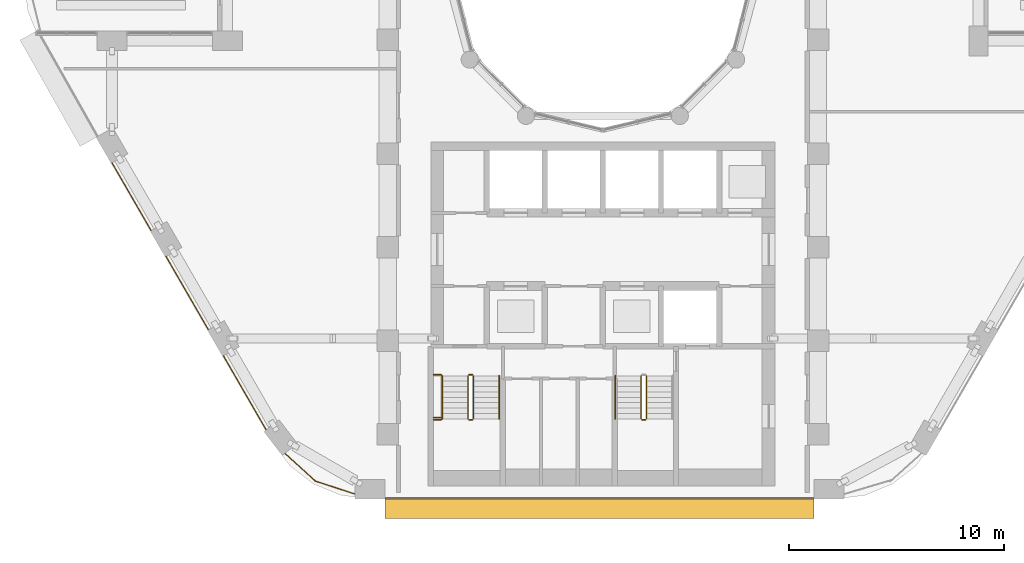
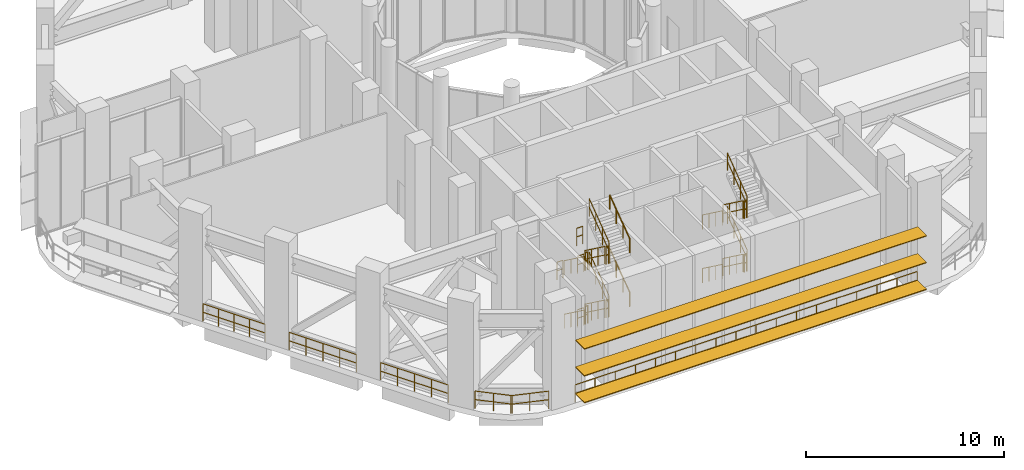
# One storey, part 16 of 21: 30 railings, 3 shading devices.
"""IFC4 building model written with IfcOpenShell, lengths in metres."""

from ifc_helpers import new_model, si_unit, direction, frame, origin, origin_2d, place, context, subcontext, project, spatial, rectangle, circle, extrude, material, material_profile, profile_set, type_object, element, save


model = new_model("IFC4")

# Units and contexts
model_context = context("Model", 3, precision=1e-05, world=origin(), true_north=direction((0.0, 1.0)))
body_context = subcontext(model_context, "Body", "Model", "MODEL_VIEW")
ifc_project = project(units=[si_unit("LENGTHUNIT", "METRE"), si_unit("AREAUNIT", "SQUARE_METRE"), si_unit("VOLUMEUNIT", "CUBIC_METRE"), si_unit("PLANEANGLEUNIT", "RADIAN"), si_unit("MASSUNIT", "GRAM", prefix="KILO")], contexts=[model_context])

# Site, building, storey
site_placement = place(None, origin())
site = spatial("IfcSite", under=ifc_project, at=site_placement, CompositionType="ELEMENT")
building_placement = place(site_placement, origin())
building = spatial("IfcBuilding", under=site, at=building_placement, Name="Nakaniwa Court", CompositionType="ELEMENT")
storey_placement = place(building_placement, frame((0.0, 0.0, 120.60009765625)))
storey = spatial("IfcBuildingStorey", under=building, at=storey_placement, Name="S2", CompositionType="ELEMENT", Elevation=120.60009765625)

# Railings
ifc_material_1 = material(Name="Black powder-coated steel flat bar balustrade S275", Category="steel")
railing_type_1 = type_object("IfcRailingType", Name="Black metal terrace guard 1100", PredefinedType="GUARDRAIL", material=ifc_material_1)
railing_1_placement = place(storey_placement, frame((57.1787109375, 71.627685546875, 0.0)))
element("IfcRailing", 1, at=railing_1_placement, inside=storey, type_object=railing_type_1, Name="S2 refuge band guard 21", PredefinedType="GUARDRAIL", context=body_context, shape_type="SweptSolid", body=[
    extrude(circle(Radius=0.02392578125, at=origin_2d()), frame((0.0, 0.0, 1.076171875), z_axis=(0.499980071345, -0.866036909293, 0.0), x_axis=(0.866036909293, 0.499980071345, 0.0)), (0.0, 0.0, 1.0), 3.636962890625),
    extrude(circle(Radius=0.02392578125, at=origin_2d()), frame((0.0, 0.0, 0.550048828125), z_axis=(0.499980071345, -0.866036909293, 0.0), x_axis=(0.866036909293, 0.499980071345, 0.0)), (0.0, 0.0, 1.0), 3.636962890625),
    extrude(circle(Radius=0.02099609375, at=origin_2d()), origin(), (0.0, 0.0, 1.0), 1.052001953125),
    extrude(circle(Radius=0.02099609375, at=origin_2d()), frame((0.45458984375, -0.787353515625, 0.0)), (0.0, 0.0, 1.0), 1.052001953125),
    extrude(circle(Radius=0.02099609375, at=origin_2d()), frame((0.9091796875, -1.57470703125, 0.0)), (0.0, 0.0, 1.0), 1.052001953125),
    extrude(circle(Radius=0.02099609375, at=origin_2d()), frame((1.36376953125, -2.3623046875, 0.0)), (0.0, 0.0, 1.0), 1.052001953125),
    extrude(circle(Radius=0.02099609375, at=origin_2d()), frame((1.818359375, -3.149658203125, 0.0)), (0.0, 0.0, 1.0), 1.052001953125),
])
railing_2_placement = place(storey_placement, frame((59.693115234375, 67.2724609375, 0.0)))
element("IfcRailing", 2, at=railing_2_placement, inside=storey, type_object=railing_type_1, Name="S2 refuge band guard 22", PredefinedType="GUARDRAIL", context=body_context, shape_type="SweptSolid", body=[
    extrude(circle(Radius=0.02392578125, at=origin_2d()), frame((0.0, 0.0, 1.076171875), z_axis=(0.500003583557, -0.866023334807, 0.0), x_axis=(0.866023334807, 0.500003583557, 0.0)), (0.0, 0.0, 1.0), 3.93408203125),
    extrude(circle(Radius=0.02392578125, at=origin_2d()), frame((0.0, 0.0, 0.550048828125), z_axis=(0.500003583557, -0.866023334807, 0.0), x_axis=(0.866023334807, 0.500003583557, 0.0)), (0.0, 0.0, 1.0), 3.93408203125),
    extrude(circle(Radius=0.02099609375, at=origin_2d()), origin(), (0.0, 0.0, 1.0), 1.052001953125),
    extrude(circle(Radius=0.02099609375, at=origin_2d()), frame((0.49169921875, -0.851806640625, 0.0)), (0.0, 0.0, 1.0), 1.052001953125),
    extrude(circle(Radius=0.02099609375, at=origin_2d()), frame((0.9833984375, -1.70361328125, 0.0)), (0.0, 0.0, 1.0), 1.052001953125),
    extrude(circle(Radius=0.02099609375, at=origin_2d()), frame((1.475341796875, -2.55517578125, 0.0)), (0.0, 0.0, 1.0), 1.052001953125),
    extrude(circle(Radius=0.02099609375, at=origin_2d()), frame((1.967041015625, -3.406982421875, 0.0)), (0.0, 0.0, 1.0), 1.052001953125),
])
railing_3_placement = place(storey_placement, frame((62.356201171875, 62.66015625, 0.0)))
element("IfcRailing", 3, at=railing_3_placement, inside=storey, type_object=railing_type_1, Name="S2 refuge band guard 23", PredefinedType="GUARDRAIL", context=body_context, shape_type="SweptSolid", body=[
    extrude(circle(Radius=0.02392578125, at=origin_2d()), frame((0.0, 0.0, 1.076171875), z_axis=(0.499997676703, -0.866026745137, 0.0), x_axis=(0.866026745137, 0.499997676703, 0.0)), (0.0, 0.0, 1.0), 3.96728515625),
    extrude(circle(Radius=0.02392578125, at=origin_2d()), frame((0.0, 0.0, 0.550048828125), z_axis=(0.499997676703, -0.866026745137, 0.0), x_axis=(0.866026745137, 0.499997676703, 0.0)), (0.0, 0.0, 1.0), 3.96728515625),
    extrude(circle(Radius=0.02099609375, at=origin_2d()), origin(), (0.0, 0.0, 1.0), 1.052001953125),
    extrude(circle(Radius=0.02099609375, at=origin_2d()), frame((0.495849609375, -0.85888671875, 0.0)), (0.0, 0.0, 1.0), 1.052001953125),
    extrude(circle(Radius=0.02099609375, at=origin_2d()), frame((0.99169921875, -1.7177734375, 0.0)), (0.0, 0.0, 1.0), 1.052001953125),
    extrude(circle(Radius=0.02099609375, at=origin_2d()), frame((1.48779296875, -2.576904296875, 0.0)), (0.0, 0.0, 1.0), 1.052001953125),
    extrude(circle(Radius=0.02099609375, at=origin_2d()), frame((1.983642578125, -3.435791015625, 0.0)), (0.0, 0.0, 1.0), 1.052001953125),
])
railing_4_placement = place(storey_placement, frame((65.227783203125, 58.112060546875, 0.0)))
element("IfcRailing", 4, at=railing_4_placement, inside=storey, type_object=railing_type_1, Name="S2 refuge band guard 24", PredefinedType="GUARDRAIL", context=body_context, shape_type="SweptSolid", body=[
    extrude(circle(Radius=0.02392578125, at=origin_2d()), frame((0.0, 0.0, 1.076171875), z_axis=(0.740421367382, -0.672142989791, 0.0), x_axis=(0.672142989791, 0.740421367382, 0.0)), (0.0, 0.0, 1.0), 1.92724609375),
    extrude(circle(Radius=0.02392578125, at=origin_2d()), frame((0.0, 0.0, 0.550048828125), z_axis=(0.740421367382, -0.672142989791, 0.0), x_axis=(0.672142989791, 0.740421367382, 0.0)), (0.0, 0.0, 1.0), 1.92724609375),
    extrude(circle(Radius=0.02099609375, at=origin_2d()), origin(), (0.0, 0.0, 1.0), 1.052001953125),
    extrude(circle(Radius=0.02099609375, at=origin_2d()), frame((0.71337890625, -0.647705078125, 0.0)), (0.0, 0.0, 1.0), 1.052001953125),
    extrude(circle(Radius=0.02099609375, at=origin_2d()), frame((1.427001953125, -1.29541015625, 0.0)), (0.0, 0.0, 1.0), 1.052001953125),
])
railing_5_placement = place(storey_placement, frame((66.593994140625, 56.84423828125, 0.0)))
element("IfcRailing", 5, at=railing_5_placement, inside=storey, type_object=railing_type_1, Name="S2 refuge band guard 25", PredefinedType="GUARDRAIL", context=body_context, shape_type="SweptSolid", body=[
    extrude(circle(Radius=0.02392578125, at=origin_2d()), frame((0.0, 0.0, 1.076171875), z_axis=(0.950777961763, -0.309872985958, 0.0), x_axis=(0.309872985958, 0.950777961763, 0.0)), (0.0, 0.0, 1.0), 1.949951171875),
    extrude(circle(Radius=0.02392578125, at=origin_2d()), frame((0.0, 0.0, 0.550048828125), z_axis=(0.950777961763, -0.309872985958, 0.0), x_axis=(0.309872985958, 0.950777961763, 0.0)), (0.0, 0.0, 1.0), 1.949951171875),
    extrude(circle(Radius=0.02099609375, at=origin_2d()), origin(), (0.0, 0.0, 1.0), 1.052001953125),
    extrude(circle(Radius=0.02099609375, at=origin_2d()), frame((0.927001953125, -0.30224609375, 0.0)), (0.0, 0.0, 1.0), 1.052001953125),
    extrude(circle(Radius=0.02099609375, at=origin_2d()), frame((1.85400390625, -0.604248046875, 0.0)), (0.0, 0.0, 1.0), 1.052001953125),
])
railing_6_placement = place(storey_placement, frame((69.871337890625, 56.050048828125, 0.0)))
element("IfcRailing", 6, at=railing_6_placement, inside=storey, type_object=railing_type_1, Name="S2 refuge band guard 26", PredefinedType="GUARDRAIL", context=body_context, shape_type="SweptSolid", body=[
    extrude(circle(Radius=0.02392578125, at=origin_2d()), frame((0.0, 0.0, 1.076171875), z_axis=(1.0, 0.0, 0.0), x_axis=(0.0, 1.0, 0.0)), (0.0, 0.0, 1.0), 19.939697265625),
    extrude(circle(Radius=0.02392578125, at=origin_2d()), frame((0.0, 0.0, 0.550048828125), z_axis=(1.0, 0.0, 0.0), x_axis=(0.0, 1.0, 0.0)), (0.0, 0.0, 1.0), 19.939697265625),
    extrude(circle(Radius=0.02099609375, at=origin_2d()), origin(), (0.0, 0.0, 1.0), 1.052001953125),
    extrude(circle(Radius=0.02099609375, at=origin_2d()), frame((1.1728515625, 0.0, 0.0)), (0.0, 0.0, 1.0), 1.052001953125),
    extrude(circle(Radius=0.02099609375, at=origin_2d()), frame((2.345947265625, 0.0, 0.0)), (0.0, 0.0, 1.0), 1.052001953125),
    extrude(circle(Radius=0.02099609375, at=origin_2d()), frame((3.518798828125, 0.0, 0.0)), (0.0, 0.0, 1.0), 1.052001953125),
    extrude(circle(Radius=0.02099609375, at=origin_2d()), frame((4.691650390625, 0.0, 0.0)), (0.0, 0.0, 1.0), 1.052001953125),
    extrude(circle(Radius=0.02099609375, at=origin_2d()), frame((5.864501953125, 0.0, 0.0)), (0.0, 0.0, 1.0), 1.052001953125),
    extrude(circle(Radius=0.02099609375, at=origin_2d()), frame((7.03759765625, 0.0, 0.0)), (0.0, 0.0, 1.0), 1.052001953125),
    extrude(circle(Radius=0.02099609375, at=origin_2d()), frame((8.21044921875, 0.0, 0.0)), (0.0, 0.0, 1.0), 1.052001953125),
    extrude(circle(Radius=0.02099609375, at=origin_2d()), frame((9.38330078125, 0.0, 0.0)), (0.0, 0.0, 1.0), 1.052001953125),
    extrude(circle(Radius=0.02099609375, at=origin_2d()), frame((10.556396484375, 0.0, 0.0)), (0.0, 0.0, 1.0), 1.052001953125),
    extrude(circle(Radius=0.02099609375, at=origin_2d()), frame((11.729248046875, 0.0, 0.0)), (0.0, 0.0, 1.0), 1.052001953125),
    extrude(circle(Radius=0.02099609375, at=origin_2d()), frame((12.902099609375, 0.0, 0.0)), (0.0, 0.0, 1.0), 1.052001953125),
    extrude(circle(Radius=0.02099609375, at=origin_2d()), frame((14.0751953125, 0.0, 0.0)), (0.0, 0.0, 1.0), 1.052001953125),
    extrude(circle(Radius=0.02099609375, at=origin_2d()), frame((15.248046875, 0.0, 0.0)), (0.0, 0.0, 1.0), 1.052001953125),
    extrude(circle(Radius=0.02099609375, at=origin_2d()), frame((16.4208984375, 0.0, 0.0)), (0.0, 0.0, 1.0), 1.052001953125),
    extrude(circle(Radius=0.02099609375, at=origin_2d()), frame((17.59375, 0.0, 0.0)), (0.0, 0.0, 1.0), 1.052001953125),
    extrude(circle(Radius=0.02099609375, at=origin_2d()), frame((18.766845703125, 0.0, 0.0)), (0.0, 0.0, 1.0), 1.052001953125),
    extrude(circle(Radius=0.02099609375, at=origin_2d()), frame((19.939697265625, 0.0, 0.0)), (0.0, 0.0, 1.0), 1.052001953125),
])

# Shading devices
ifc_material_2 = material(Name="Perforated charcoal ceramic louvre blade")
ifc_material_profile = material_profile(ifc_material_2, rectangle(XDim=0.89990234375, YDim=0.050048828125, at=origin_2d()), Name="Perforated ceramic louvre blade")
ifc_profile_set = profile_set([ifc_material_profile], Name="Perforated charcoal ceramic louvre blade")
shading_device_type = type_object("IfcShadingDeviceType", Name="Perforated ceramic louvre blade", PredefinedType="JALOUSIE", material=ifc_profile_set)
for number, where, z_axis, x_axis, name in (
    (7, (69.871337890625, 55.550048828125, 0.5498046875), (1.0, 0.0, 0.0), (0.0, 1.0, 0.0), "S2 perforated ceramic louvre blade s26 1"),
    (8, (69.871337890625, 55.550048828125, 2.199951171875), (1.0, 0.0, 0.0), (0.0, 1.0, 0.0), "S2 perforated ceramic louvre blade s26 2"),
    (9, (69.871337890625, 55.550048828125, 3.849853515625), (1.0, 0.0, 0.0), (0.0, 1.0, 0.0), "S2 perforated ceramic louvre blade s26 3"),
):
    element("IfcShadingDevice", number, at=place(storey_placement, frame(where, z_axis=z_axis, x_axis=x_axis)), inside=storey, type_object=shading_device_type, Name=name, PredefinedType="JALOUSIE", context=body_context, shape_type="SweptSolid", body=[
        extrude(rectangle(XDim=0.89990234375, YDim=0.050048828125, at=origin_2d()), origin(), (0.0, 0.0, 1.0), 19.939697265625),
    ])

# Railings
ifc_material_3 = material(Name="Black powder coated steel guard", Category="steel")
railing_type_2 = type_object("IfcRailingType", Name="Stair guard 1100", PredefinedType="GUARDRAIL", material=ifc_material_3)
railing_7_placement = place(storey_placement, frame((73.72509765625, 61.72509765625, 0.183349609375)))
element("IfcRailing", 10, at=railing_7_placement, inside=storey, type_object=railing_type_2, Name="S2 ST3 stair guard 1", PredefinedType="GUARDRAIL", context=body_context, shape_type="SweptSolid", body=[
    extrude(circle(Radius=0.02392578125, at=origin_2d()), frame((0.0, 0.0, 1.076171875), z_axis=(0.0, -0.806426902644, 0.591333789573), x_axis=(1.0, 0.0, 0.0)), (0.0, 0.0, 1.0), 2.47998046875),
    extrude(circle(Radius=0.02392578125, at=origin_2d()), frame((0.0, 0.0, 0.550048828125), z_axis=(0.0, -0.806426902644, 0.591333789573), x_axis=(1.0, 0.0, 0.0)), (0.0, 0.0, 1.0), 2.47998046875),
    extrude(circle(Radius=0.02099609375, at=origin_2d()), origin(), (0.0, 0.0, 1.0), 1.052001953125),
    extrude(circle(Radius=0.02099609375, at=origin_2d()), frame((0.0, -0.666748046875, 0.48876953125)), (0.0, 0.0, 1.0), 1.052001953125),
    extrude(circle(Radius=0.02099609375, at=origin_2d()), frame((0.0, -1.333251953125, 0.977783203125)), (0.0, 0.0, 1.0), 1.052001953125),
    extrude(circle(Radius=0.02099609375, at=origin_2d()), frame((0.0, -2.0, 1.466552734375)), (0.0, 0.0, 1.0), 1.052001953125),
])
railing_8_placement = place(storey_placement, frame((73.77490234375, 59.675048828125, 1.64990234375)))
element("IfcRailing", 11, at=railing_8_placement, inside=storey, type_object=railing_type_2, Name="S2 ST3 stair guard 2", PredefinedType="GUARDRAIL", context=body_context, shape_type="SweptSolid", body=[
    extrude(circle(Radius=0.02392578125, at=origin_2d()), frame((0.0, 0.0, 1.076171875), z_axis=(1.0, 0.0, 0.0), x_axis=(0.0, 1.0, 0.0)), (0.0, 0.0, 1.0), 0.150146484375),
    extrude(circle(Radius=0.02392578125, at=origin_2d()), frame((0.0, 0.0, 0.550048828125), z_axis=(1.0, 0.0, 0.0), x_axis=(0.0, 1.0, 0.0)), (0.0, 0.0, 1.0), 0.150146484375),
    extrude(circle(Radius=0.02099609375, at=origin_2d()), origin(), (0.0, 0.0, 1.0), 1.052001953125),
    extrude(circle(Radius=0.02099609375, at=origin_2d()), frame((0.150146484375, 0.0, 0.0)), (0.0, 0.0, 1.0), 1.052001953125),
])
railing_9_placement = place(storey_placement, frame((73.97509765625, 59.72509765625, 1.833251953125)))
element("IfcRailing", 12, at=railing_9_placement, inside=storey, type_object=railing_type_2, Name="S2 ST3 stair guard 3", PredefinedType="GUARDRAIL", context=body_context, shape_type="SweptSolid", body=[
    extrude(circle(Radius=0.02392578125, at=origin_2d()), frame((0.0, 0.0, 1.076171875), z_axis=(0.0, 0.806426902644, 0.591333789573), x_axis=(-1.0, 0.0, 0.0)), (0.0, 0.0, 1.0), 2.47998046875),
    extrude(circle(Radius=0.02392578125, at=origin_2d()), frame((0.0, 0.0, 0.550048828125), z_axis=(0.0, 0.806426902644, 0.591333789573), x_axis=(-1.0, 0.0, 0.0)), (0.0, 0.0, 1.0), 2.47998046875),
    extrude(circle(Radius=0.02099609375, at=origin_2d()), origin(), (0.0, 0.0, 1.0), 1.052001953125),
    extrude(circle(Radius=0.02099609375, at=origin_2d()), frame((0.0, 0.666748046875, 0.48876953125)), (0.0, 0.0, 1.0), 1.052001953125),
    extrude(circle(Radius=0.02099609375, at=origin_2d()), frame((0.0, 1.333251953125, 0.977783203125)), (0.0, 0.0, 1.0), 1.052001953125),
    extrude(circle(Radius=0.02099609375, at=origin_2d()), frame((0.0, 2.0, 1.466552734375)), (0.0, 0.0, 1.0), 1.052001953125),
])
railing_10_placement = place(storey_placement, frame((73.77490234375, 61.77490234375, 3.2998046875)))
element("IfcRailing", 13, at=railing_10_placement, inside=storey, type_object=railing_type_2, Name="S2 ST3 stair guard 4", PredefinedType="GUARDRAIL", context=body_context, shape_type="SweptSolid", body=[
    extrude(circle(Radius=0.02392578125, at=origin_2d()), frame((0.0, 0.0, 1.076171875), z_axis=(1.0, 0.0, 0.0), x_axis=(0.0, 1.0, 0.0)), (0.0, 0.0, 1.0), 0.150146484375),
    extrude(circle(Radius=0.02392578125, at=origin_2d()), frame((0.0, 0.0, 0.550048828125), z_axis=(1.0, 0.0, 0.0), x_axis=(0.0, 1.0, 0.0)), (0.0, 0.0, 1.0), 0.150146484375),
    extrude(circle(Radius=0.02099609375, at=origin_2d()), origin(), (0.0, 0.0, 1.0), 1.052001953125),
    extrude(circle(Radius=0.02099609375, at=origin_2d()), frame((0.150146484375, 0.0, 0.0)), (0.0, 0.0, 1.0), 1.052001953125),
])
railing_11_placement = place(storey_placement, frame((73.72509765625, 61.72509765625, 3.483154296875)))
element("IfcRailing", 14, at=railing_11_placement, inside=storey, type_object=railing_type_2, Name="S2 ST3 stair guard 5", PredefinedType="GUARDRAIL", context=body_context, shape_type="SweptSolid", body=[
    extrude(circle(Radius=0.02392578125, at=origin_2d()), frame((0.0, 0.0, 1.076171875), z_axis=(0.0, -0.806379959628, 0.591397802423), x_axis=(1.0, 0.0, 0.0)), (0.0, 0.0, 1.0), 2.480224609375),
    extrude(circle(Radius=0.02392578125, at=origin_2d()), frame((0.0, 0.0, 0.550048828125), z_axis=(0.0, -0.806379959628, 0.591397802423), x_axis=(1.0, 0.0, 0.0)), (0.0, 0.0, 1.0), 2.480224609375),
    extrude(circle(Radius=0.02099609375, at=origin_2d()), origin(), (0.0, 0.0, 1.0), 1.052001953125),
    extrude(circle(Radius=0.02099609375, at=origin_2d()), frame((0.0, -0.666748046875, 0.489013671875)), (0.0, 0.0, 1.0), 1.052001953125),
    extrude(circle(Radius=0.02099609375, at=origin_2d()), frame((0.0, -1.333251953125, 0.977783203125)), (0.0, 0.0, 1.0), 1.052001953125),
    extrude(circle(Radius=0.02099609375, at=origin_2d()), frame((0.0, -2.0, 1.466796875)), (0.0, 0.0, 1.0), 1.052001953125),
])
railing_12_placement = place(storey_placement, frame((73.77490234375, 59.675048828125, 4.949951171875)))
element("IfcRailing", 15, at=railing_12_placement, inside=storey, type_object=railing_type_2, Name="S2 ST3 stair guard 6", PredefinedType="GUARDRAIL", context=body_context, shape_type="SweptSolid", body=[
    extrude(circle(Radius=0.02392578125, at=origin_2d()), frame((0.0, 0.0, 1.076171875), z_axis=(1.0, 0.0, 0.0), x_axis=(0.0, 1.0, 0.0)), (0.0, 0.0, 1.0), 0.150146484375),
    extrude(circle(Radius=0.02392578125, at=origin_2d()), frame((0.0, 0.0, 0.550048828125), z_axis=(1.0, 0.0, 0.0), x_axis=(0.0, 1.0, 0.0)), (0.0, 0.0, 1.0), 0.150146484375),
    extrude(circle(Radius=0.02099609375, at=origin_2d()), origin(), (0.0, 0.0, 1.0), 1.052001953125),
    extrude(circle(Radius=0.02099609375, at=origin_2d()), frame((0.150146484375, 0.0, 0.0)), (0.0, 0.0, 1.0), 1.052001953125),
])
railing_13_placement = place(storey_placement, frame((73.97509765625, 59.72509765625, 5.13330078125)))
element("IfcRailing", 16, at=railing_13_placement, inside=storey, type_object=railing_type_2, Name="S2 ST3 stair guard 7", PredefinedType="GUARDRAIL", context=body_context, shape_type="SweptSolid", body=[
    extrude(circle(Radius=0.02392578125, at=origin_2d()), frame((0.0, 0.0, 1.076171875), z_axis=(0.0, 0.806426902644, 0.591333789573), x_axis=(-1.0, 0.0, 0.0)), (0.0, 0.0, 1.0), 2.47998046875),
    extrude(circle(Radius=0.02392578125, at=origin_2d()), frame((0.0, 0.0, 0.550048828125), z_axis=(0.0, 0.806426902644, 0.591333789573), x_axis=(-1.0, 0.0, 0.0)), (0.0, 0.0, 1.0), 2.47998046875),
    extrude(circle(Radius=0.02099609375, at=origin_2d()), origin(), (0.0, 0.0, 1.0), 1.052001953125),
    extrude(circle(Radius=0.02099609375, at=origin_2d()), frame((0.0, 0.666748046875, 0.48876953125)), (0.0, 0.0, 1.0), 1.052001953125),
    extrude(circle(Radius=0.02099609375, at=origin_2d()), frame((0.0, 1.333251953125, 0.977783203125)), (0.0, 0.0, 1.0), 1.052001953125),
    extrude(circle(Radius=0.02099609375, at=origin_2d()), frame((0.0, 2.0, 1.466552734375)), (0.0, 0.0, 1.0), 1.052001953125),
])
railing_14_placement = place(storey_placement, frame((73.77490234375, 61.77490234375, 0.0)))
element("IfcRailing", 17, at=railing_14_placement, inside=storey, type_object=railing_type_2, Name="S2 ST3 stair guard 8", PredefinedType="GUARDRAIL", context=body_context, shape_type="SweptSolid", body=[
    extrude(circle(Radius=0.02392578125, at=origin_2d()), frame((0.0, 0.0, 1.076171875), z_axis=(1.0, 0.0, 0.0), x_axis=(0.0, 1.0, 0.0)), (0.0, 0.0, 1.0), 0.150146484375),
    extrude(circle(Radius=0.02392578125, at=origin_2d()), frame((0.0, 0.0, 0.550048828125), z_axis=(1.0, 0.0, 0.0), x_axis=(0.0, 1.0, 0.0)), (0.0, 0.0, 1.0), 0.150146484375),
    extrude(circle(Radius=0.02099609375, at=origin_2d()), origin(), (0.0, 0.0, 1.0), 1.052001953125),
    extrude(circle(Radius=0.02099609375, at=origin_2d()), frame((0.150146484375, 0.0, 0.0)), (0.0, 0.0, 1.0), 1.052001953125),
])
for number, where, name in (
    (18, (72.125, 59.675048828125, 1.64990234375), "S2 ST3 landing side guard 1W"),
    (19, (72.125, 61.77490234375, 3.2998046875), "S2 ST3 landing side guard 2W"),
    (20, (72.125, 59.675048828125, 4.949951171875), "S2 ST3 landing side guard 3W"),
    (21, (72.125, 59.77490234375, 6.599853515625), "S2 ST3 floor edge guard 3W"),
):
    element("IfcRailing", number, at=place(storey_placement, frame(where)), inside=storey, type_object=railing_type_2, Name=name, PredefinedType="GUARDRAIL", context=body_context, shape_type="SweptSolid", body=[
        extrude(circle(Radius=0.02392578125, at=origin_2d()), frame((0.0, 0.0, 1.076171875), z_axis=(1.0, 0.0, 0.0), x_axis=(0.0, 1.0, 0.0)), (0.0, 0.0, 1.0), 0.35009765625),
        extrude(circle(Radius=0.02392578125, at=origin_2d()), frame((0.0, 0.0, 0.550048828125), z_axis=(1.0, 0.0, 0.0), x_axis=(0.0, 1.0, 0.0)), (0.0, 0.0, 1.0), 0.35009765625),
        extrude(circle(Radius=0.02099609375, at=origin_2d()), origin(), (0.0, 0.0, 1.0), 1.052001953125),
        extrude(circle(Radius=0.02099609375, at=origin_2d()), frame((0.35009765625, 0.0, 0.0)), (0.0, 0.0, 1.0), 1.052001953125),
    ])
railing_15_placement = place(storey_placement, frame((81.77490234375, 61.72509765625, 0.183349609375)))
element("IfcRailing", 22, at=railing_15_placement, inside=storey, type_object=railing_type_2, Name="S2 ST4 stair guard 1", PredefinedType="GUARDRAIL", context=body_context, shape_type="SweptSolid", body=[
    extrude(circle(Radius=0.02392578125, at=origin_2d()), frame((0.0, 0.0, 1.076171875), z_axis=(0.0, -0.806426902644, 0.591333789573), x_axis=(1.0, 0.0, 0.0)), (0.0, 0.0, 1.0), 2.47998046875),
    extrude(circle(Radius=0.02392578125, at=origin_2d()), frame((0.0, 0.0, 0.550048828125), z_axis=(0.0, -0.806426902644, 0.591333789573), x_axis=(1.0, 0.0, 0.0)), (0.0, 0.0, 1.0), 2.47998046875),
    extrude(circle(Radius=0.02099609375, at=origin_2d()), origin(), (0.0, 0.0, 1.0), 1.052001953125),
    extrude(circle(Radius=0.02099609375, at=origin_2d()), frame((0.0, -0.666748046875, 0.48876953125)), (0.0, 0.0, 1.0), 1.052001953125),
    extrude(circle(Radius=0.02099609375, at=origin_2d()), frame((0.0, -1.333251953125, 0.977783203125)), (0.0, 0.0, 1.0), 1.052001953125),
    extrude(circle(Radius=0.02099609375, at=origin_2d()), frame((0.0, -2.0, 1.466552734375)), (0.0, 0.0, 1.0), 1.052001953125),
])
railing_16_placement = place(storey_placement, frame((81.824951171875, 59.675048828125, 1.64990234375)))
element("IfcRailing", 23, at=railing_16_placement, inside=storey, type_object=railing_type_2, Name="S2 ST4 stair guard 2", PredefinedType="GUARDRAIL", context=body_context, shape_type="SweptSolid", body=[
    extrude(circle(Radius=0.02392578125, at=origin_2d()), frame((0.0, 0.0, 1.076171875), z_axis=(1.0, 0.0, 0.0), x_axis=(0.0, 1.0, 0.0)), (0.0, 0.0, 1.0), 0.150146484375),
    extrude(circle(Radius=0.02392578125, at=origin_2d()), frame((0.0, 0.0, 0.550048828125), z_axis=(1.0, 0.0, 0.0), x_axis=(0.0, 1.0, 0.0)), (0.0, 0.0, 1.0), 0.150146484375),
    extrude(circle(Radius=0.02099609375, at=origin_2d()), origin(), (0.0, 0.0, 1.0), 1.052001953125),
    extrude(circle(Radius=0.02099609375, at=origin_2d()), frame((0.150146484375, 0.0, 0.0)), (0.0, 0.0, 1.0), 1.052001953125),
])
railing_17_placement = place(storey_placement, frame((82.02490234375, 59.72509765625, 1.833251953125)))
element("IfcRailing", 24, at=railing_17_placement, inside=storey, type_object=railing_type_2, Name="S2 ST4 stair guard 3", PredefinedType="GUARDRAIL", context=body_context, shape_type="SweptSolid", body=[
    extrude(circle(Radius=0.02392578125, at=origin_2d()), frame((0.0, 0.0, 1.076171875), z_axis=(0.0, 0.806426902644, 0.591333789573), x_axis=(-1.0, 0.0, 0.0)), (0.0, 0.0, 1.0), 2.47998046875),
    extrude(circle(Radius=0.02392578125, at=origin_2d()), frame((0.0, 0.0, 0.550048828125), z_axis=(0.0, 0.806426902644, 0.591333789573), x_axis=(-1.0, 0.0, 0.0)), (0.0, 0.0, 1.0), 2.47998046875),
    extrude(circle(Radius=0.02099609375, at=origin_2d()), origin(), (0.0, 0.0, 1.0), 1.052001953125),
    extrude(circle(Radius=0.02099609375, at=origin_2d()), frame((0.0, 0.666748046875, 0.48876953125)), (0.0, 0.0, 1.0), 1.052001953125),
    extrude(circle(Radius=0.02099609375, at=origin_2d()), frame((0.0, 1.333251953125, 0.977783203125)), (0.0, 0.0, 1.0), 1.052001953125),
    extrude(circle(Radius=0.02099609375, at=origin_2d()), frame((0.0, 2.0, 1.466552734375)), (0.0, 0.0, 1.0), 1.052001953125),
])
railing_18_placement = place(storey_placement, frame((81.77490234375, 61.72509765625, 3.483154296875)))
element("IfcRailing", 25, at=railing_18_placement, inside=storey, type_object=railing_type_2, Name="S2 ST4 stair guard 5", PredefinedType="GUARDRAIL", context=body_context, shape_type="SweptSolid", body=[
    extrude(circle(Radius=0.02392578125, at=origin_2d()), frame((0.0, 0.0, 1.076171875), z_axis=(0.0, -0.806379959628, 0.591397802423), x_axis=(1.0, 0.0, 0.0)), (0.0, 0.0, 1.0), 2.480224609375),
    extrude(circle(Radius=0.02392578125, at=origin_2d()), frame((0.0, 0.0, 0.550048828125), z_axis=(0.0, -0.806379959628, 0.591397802423), x_axis=(1.0, 0.0, 0.0)), (0.0, 0.0, 1.0), 2.480224609375),
    extrude(circle(Radius=0.02099609375, at=origin_2d()), origin(), (0.0, 0.0, 1.0), 1.052001953125),
    extrude(circle(Radius=0.02099609375, at=origin_2d()), frame((0.0, -0.666748046875, 0.489013671875)), (0.0, 0.0, 1.0), 1.052001953125),
    extrude(circle(Radius=0.02099609375, at=origin_2d()), frame((0.0, -1.333251953125, 0.977783203125)), (0.0, 0.0, 1.0), 1.052001953125),
    extrude(circle(Radius=0.02099609375, at=origin_2d()), frame((0.0, -2.0, 1.466796875)), (0.0, 0.0, 1.0), 1.052001953125),
])
railing_19_placement = place(storey_placement, frame((81.824951171875, 59.675048828125, 4.949951171875)))
element("IfcRailing", 26, at=railing_19_placement, inside=storey, type_object=railing_type_2, Name="S2 ST4 stair guard 6", PredefinedType="GUARDRAIL", context=body_context, shape_type="SweptSolid", body=[
    extrude(circle(Radius=0.02392578125, at=origin_2d()), frame((0.0, 0.0, 1.076171875), z_axis=(1.0, 0.0, 0.0), x_axis=(0.0, 1.0, 0.0)), (0.0, 0.0, 1.0), 0.150146484375),
    extrude(circle(Radius=0.02392578125, at=origin_2d()), frame((0.0, 0.0, 0.550048828125), z_axis=(1.0, 0.0, 0.0), x_axis=(0.0, 1.0, 0.0)), (0.0, 0.0, 1.0), 0.150146484375),
    extrude(circle(Radius=0.02099609375, at=origin_2d()), origin(), (0.0, 0.0, 1.0), 1.052001953125),
    extrude(circle(Radius=0.02099609375, at=origin_2d()), frame((0.150146484375, 0.0, 0.0)), (0.0, 0.0, 1.0), 1.052001953125),
])
railing_20_placement = place(storey_placement, frame((82.02490234375, 59.72509765625, 5.13330078125)))
element("IfcRailing", 27, at=railing_20_placement, inside=storey, type_object=railing_type_2, Name="S2 ST4 stair guard 7", PredefinedType="GUARDRAIL", context=body_context, shape_type="SweptSolid", body=[
    extrude(circle(Radius=0.02392578125, at=origin_2d()), frame((0.0, 0.0, 1.076171875), z_axis=(0.0, 0.806426902644, 0.591333789573), x_axis=(-1.0, 0.0, 0.0)), (0.0, 0.0, 1.0), 2.47998046875),
    extrude(circle(Radius=0.02392578125, at=origin_2d()), frame((0.0, 0.0, 0.550048828125), z_axis=(0.0, 0.806426902644, 0.591333789573), x_axis=(-1.0, 0.0, 0.0)), (0.0, 0.0, 1.0), 2.47998046875),
    extrude(circle(Radius=0.02099609375, at=origin_2d()), origin(), (0.0, 0.0, 1.0), 1.052001953125),
    extrude(circle(Radius=0.02099609375, at=origin_2d()), frame((0.0, 0.666748046875, 0.48876953125)), (0.0, 0.0, 1.0), 1.052001953125),
    extrude(circle(Radius=0.02099609375, at=origin_2d()), frame((0.0, 1.333251953125, 0.977783203125)), (0.0, 0.0, 1.0), 1.052001953125),
    extrude(circle(Radius=0.02099609375, at=origin_2d()), frame((0.0, 2.0, 1.466552734375)), (0.0, 0.0, 1.0), 1.052001953125),
])
ifc_material_4 = material(Name="Black powder coated steel handrail", Category="steel")
railing_type_3 = type_object("IfcRailingType", Name="Stair handrail 900", PredefinedType="HANDRAIL", material=ifc_material_4)
railing_21_placement = place(storey_placement, frame((72.52490234375, 61.72509765625, 0.183349609375)))
element("IfcRailing", 28, at=railing_21_placement, inside=storey, type_object=railing_type_3, Name="S2 ST3 stair handrail 1", PredefinedType="HANDRAIL", context=body_context, shape_type="SweptSolid", body=[
    extrude(circle(Radius=0.02392578125, at=origin_2d()), frame((0.0, 0.0, 0.8759765625), z_axis=(0.0, -0.806426902644, 0.591333789573), x_axis=(1.0, 0.0, 0.0)), (0.0, 0.0, 1.0), 2.47998046875),
    extrude(circle(Radius=0.02099609375, at=origin_2d()), origin(), (0.0, 0.0, 1.0), 0.851806640625),
    extrude(circle(Radius=0.02099609375, at=origin_2d()), frame((0.0, -0.666748046875, 0.48876953125)), (0.0, 0.0, 1.0), 0.851806640625),
    extrude(circle(Radius=0.02099609375, at=origin_2d()), frame((0.0, -1.333251953125, 0.977783203125)), (0.0, 0.0, 1.0), 0.851806640625),
    extrude(circle(Radius=0.02099609375, at=origin_2d()), frame((0.0, -2.0, 1.466552734375)), (0.0, 0.0, 1.0), 0.851806640625),
])
railing_22_placement = place(storey_placement, frame((75.175048828125, 59.72509765625, 1.833251953125)))
element("IfcRailing", 29, at=railing_22_placement, inside=storey, type_object=railing_type_3, Name="S2 ST3 stair handrail 2", PredefinedType="HANDRAIL", context=body_context, shape_type="SweptSolid", body=[
    extrude(circle(Radius=0.02392578125, at=origin_2d()), frame((0.0, 0.0, 0.8759765625), z_axis=(0.0, 0.806426902644, 0.591333789573), x_axis=(-1.0, 0.0, 0.0)), (0.0, 0.0, 1.0), 2.47998046875),
    extrude(circle(Radius=0.02099609375, at=origin_2d()), origin(), (0.0, 0.0, 1.0), 0.851806640625),
    extrude(circle(Radius=0.02099609375, at=origin_2d()), frame((0.0, 0.666748046875, 0.48876953125)), (0.0, 0.0, 1.0), 0.851806640625),
    extrude(circle(Radius=0.02099609375, at=origin_2d()), frame((0.0, 1.333251953125, 0.977783203125)), (0.0, 0.0, 1.0), 0.851806640625),
    extrude(circle(Radius=0.02099609375, at=origin_2d()), frame((0.0, 2.0, 1.466552734375)), (0.0, 0.0, 1.0), 0.851806640625),
])
railing_23_placement = place(storey_placement, frame((72.52490234375, 61.72509765625, 3.483154296875)))
element("IfcRailing", 30, at=railing_23_placement, inside=storey, type_object=railing_type_3, Name="S2 ST3 stair handrail 3", PredefinedType="HANDRAIL", context=body_context, shape_type="SweptSolid", body=[
    extrude(circle(Radius=0.02392578125, at=origin_2d()), frame((0.0, 0.0, 0.8759765625), z_axis=(0.0, -0.806379959628, 0.591397802423), x_axis=(1.0, 0.0, 0.0)), (0.0, 0.0, 1.0), 2.480224609375),
    extrude(circle(Radius=0.02099609375, at=origin_2d()), origin(), (0.0, 0.0, 1.0), 0.851806640625),
    extrude(circle(Radius=0.02099609375, at=origin_2d()), frame((0.0, -0.666748046875, 0.489013671875)), (0.0, 0.0, 1.0), 0.851806640625),
    extrude(circle(Radius=0.02099609375, at=origin_2d()), frame((0.0, -1.333251953125, 0.977783203125)), (0.0, 0.0, 1.0), 0.851806640625),
    extrude(circle(Radius=0.02099609375, at=origin_2d()), frame((0.0, -2.0, 1.466796875)), (0.0, 0.0, 1.0), 0.851806640625),
])
railing_24_placement = place(storey_placement, frame((75.175048828125, 59.72509765625, 5.13330078125)))
element("IfcRailing", 31, at=railing_24_placement, inside=storey, type_object=railing_type_3, Name="S2 ST3 stair handrail 4", PredefinedType="HANDRAIL", context=body_context, shape_type="SweptSolid", body=[
    extrude(circle(Radius=0.02392578125, at=origin_2d()), frame((0.0, 0.0, 0.8759765625), z_axis=(0.0, 0.806426902644, 0.591333789573), x_axis=(-1.0, 0.0, 0.0)), (0.0, 0.0, 1.0), 2.47998046875),
    extrude(circle(Radius=0.02099609375, at=origin_2d()), origin(), (0.0, 0.0, 1.0), 0.851806640625),
    extrude(circle(Radius=0.02099609375, at=origin_2d()), frame((0.0, 0.666748046875, 0.48876953125)), (0.0, 0.0, 1.0), 0.851806640625),
    extrude(circle(Radius=0.02099609375, at=origin_2d()), frame((0.0, 1.333251953125, 0.977783203125)), (0.0, 0.0, 1.0), 0.851806640625),
    extrude(circle(Radius=0.02099609375, at=origin_2d()), frame((0.0, 2.0, 1.466552734375)), (0.0, 0.0, 1.0), 0.851806640625),
])
railing_25_placement = place(storey_placement, frame((80.574951171875, 61.72509765625, 0.183349609375)))
element("IfcRailing", 32, at=railing_25_placement, inside=storey, type_object=railing_type_3, Name="S2 ST4 stair handrail 1", PredefinedType="HANDRAIL", context=body_context, shape_type="SweptSolid", body=[
    extrude(circle(Radius=0.02392578125, at=origin_2d()), frame((0.0, 0.0, 0.8759765625), z_axis=(0.0, -0.806426902644, 0.591333789573), x_axis=(1.0, 0.0, 0.0)), (0.0, 0.0, 1.0), 2.47998046875),
    extrude(circle(Radius=0.02099609375, at=origin_2d()), origin(), (0.0, 0.0, 1.0), 0.851806640625),
    extrude(circle(Radius=0.02099609375, at=origin_2d()), frame((0.0, -0.666748046875, 0.48876953125)), (0.0, 0.0, 1.0), 0.851806640625),
    extrude(circle(Radius=0.02099609375, at=origin_2d()), frame((0.0, -1.333251953125, 0.977783203125)), (0.0, 0.0, 1.0), 0.851806640625),
    extrude(circle(Radius=0.02099609375, at=origin_2d()), frame((0.0, -2.0, 1.466552734375)), (0.0, 0.0, 1.0), 0.851806640625),
])
railing_26_placement = place(storey_placement, frame((80.574951171875, 61.72509765625, 3.483154296875)))
element("IfcRailing", 33, at=railing_26_placement, inside=storey, type_object=railing_type_3, Name="S2 ST4 stair handrail 3", PredefinedType="HANDRAIL", context=body_context, shape_type="SweptSolid", body=[
    extrude(circle(Radius=0.02392578125, at=origin_2d()), frame((0.0, 0.0, 0.8759765625), z_axis=(0.0, -0.806379959628, 0.591397802423), x_axis=(1.0, 0.0, 0.0)), (0.0, 0.0, 1.0), 2.480224609375),
    extrude(circle(Radius=0.02099609375, at=origin_2d()), origin(), (0.0, 0.0, 1.0), 0.851806640625),
    extrude(circle(Radius=0.02099609375, at=origin_2d()), frame((0.0, -0.666748046875, 0.489013671875)), (0.0, 0.0, 1.0), 0.851806640625),
    extrude(circle(Radius=0.02099609375, at=origin_2d()), frame((0.0, -1.333251953125, 0.977783203125)), (0.0, 0.0, 1.0), 0.851806640625),
    extrude(circle(Radius=0.02099609375, at=origin_2d()), frame((0.0, -2.0, 1.466796875)), (0.0, 0.0, 1.0), 0.851806640625),
])

save(model, "model.ifc")
